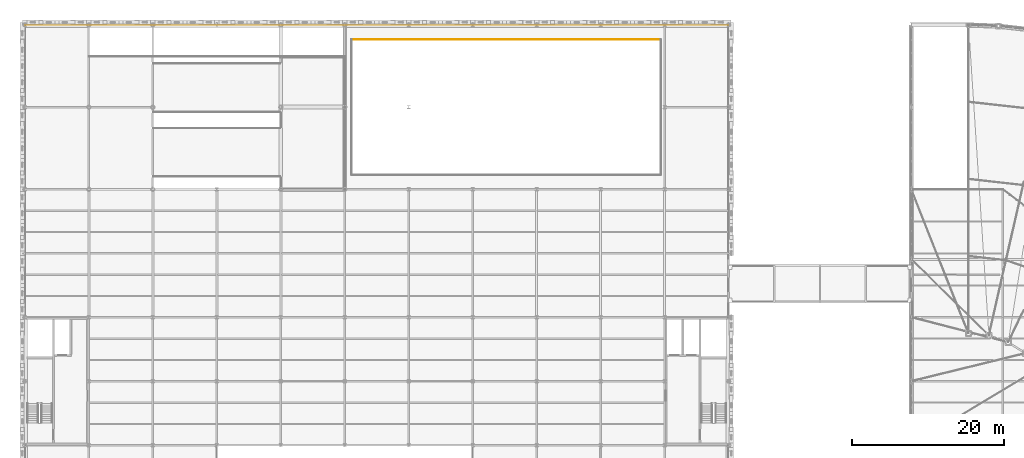
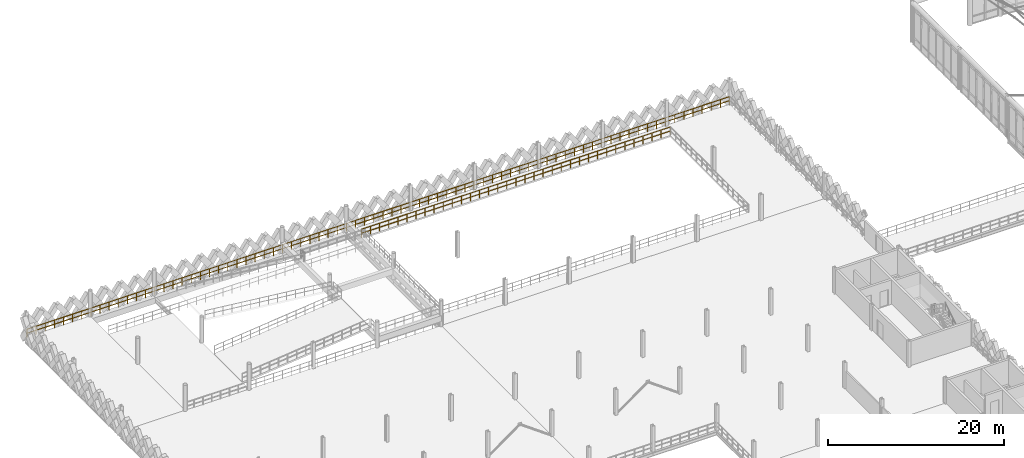
# One storey, part 98 of 101: 2 railings.
"""IFC4 building model written with IfcOpenShell, lengths in metres."""

from ifc_helpers import new_model, si_unit, direction, frame, origin, origin_2d, place, context, subcontext, project, spatial, circle, extrude, material, type_object, element, save


model = new_model("IFC4")

# Units and contexts
model_context = context("Model", 3, precision=1e-05, world=origin(), true_north=direction((0.0, 1.0)))
body_context = subcontext(model_context, "Body", "Model", "MODEL_VIEW")
ifc_project = project(units=[si_unit("LENGTHUNIT", "METRE"), si_unit("AREAUNIT", "SQUARE_METRE"), si_unit("VOLUMEUNIT", "CUBIC_METRE"), si_unit("PLANEANGLEUNIT", "RADIAN"), si_unit("MASSUNIT", "GRAM", prefix="KILO"), si_unit("THERMODYNAMICTEMPERATUREUNIT", "KELVIN"), si_unit("POWERUNIT", "WATT")], contexts=[model_context])

# Site, building, storey
site_placement = place(None, origin())
site = spatial("IfcSite", under=ifc_project, at=site_placement, CompositionType="ELEMENT")
building_placement = place(site_placement, origin())
building = spatial("IfcBuilding", under=site, at=building_placement, Name="Tembeka Court Mobility Hub", CompositionType="ELEMENT")
storey_placement = place(building_placement, frame((0.0, 0.0, 5.39990234375)))
storey = spatial("IfcBuildingStorey", under=building, at=storey_placement, Name="L01", CompositionType="ELEMENT", Elevation=5.39990234375)

# Railings
ifc_material = material(Name="Painted galvanised steel balustrade", Category="steel")
railing_type_1 = type_object("IfcRailingType", Name="RL-GR01", PredefinedType="GUARDRAIL", material=ifc_material)
railing_1_placement = place(storey_placement, frame((83.469970703125, 116.89990234375, 0.0)))
element("IfcRailing", 1, at=railing_1_placement, inside=storey, type_object=railing_type_1, Name="Perimeter guard GR01-0059", PredefinedType="GUARDRAIL", context=body_context, shape_type="SweptSolid", body=[
    extrude(circle(Radius=0.02392578125, at=origin_2d()), frame((0.0, 0.0, 1.09619140625), z_axis=(-1.0, 0.0, 0.0), x_axis=(0.0, -1.0, 0.0)), (0.0, 0.0, 1.0), 40.5400390625),
    extrude(circle(Radius=0.02392578125, at=origin_2d()), frame((0.0, 0.0, 0.5361328125), z_axis=(-1.0, 0.0, 0.0), x_axis=(0.0, -1.0, 0.0)), (0.0, 0.0, 1.0), 40.5400390625),
    extrude(circle(Radius=0.02099609375, at=origin_2d()), origin(), (0.0, 0.0, 1.0), 1.072021484375),
    extrude(circle(Radius=0.02099609375, at=origin_2d()), frame((-1.1923828125, 0.0, 0.0)), (0.0, 0.0, 1.0), 1.072021484375),
    extrude(circle(Radius=0.02099609375, at=origin_2d()), frame((-2.384765625, 0.0, 0.0)), (0.0, 0.0, 1.0), 1.072021484375),
    extrude(circle(Radius=0.02099609375, at=origin_2d()), frame((-3.5771484375, 0.0, 0.0)), (0.0, 0.0, 1.0), 1.072021484375),
    extrude(circle(Radius=0.02099609375, at=origin_2d()), frame((-4.76953125, 0.0, 0.0)), (0.0, 0.0, 1.0), 1.072021484375),
    extrude(circle(Radius=0.02099609375, at=origin_2d()), frame((-5.961669921875, 0.0, 0.0)), (0.0, 0.0, 1.0), 1.072021484375),
    extrude(circle(Radius=0.02099609375, at=origin_2d()), frame((-7.154052734375, 0.0, 0.0)), (0.0, 0.0, 1.0), 1.072021484375),
    extrude(circle(Radius=0.02099609375, at=origin_2d()), frame((-8.346435546875, 0.0, 0.0)), (0.0, 0.0, 1.0), 1.072021484375),
    extrude(circle(Radius=0.02099609375, at=origin_2d()), frame((-9.538818359375, 0.0, 0.0)), (0.0, 0.0, 1.0), 1.072021484375),
    extrude(circle(Radius=0.02099609375, at=origin_2d()), frame((-10.731201171875, 0.0, 0.0)), (0.0, 0.0, 1.0), 1.072021484375),
    extrude(circle(Radius=0.02099609375, at=origin_2d()), frame((-11.923583984375, 0.0, 0.0)), (0.0, 0.0, 1.0), 1.072021484375),
    extrude(circle(Radius=0.02099609375, at=origin_2d()), frame((-13.115966796875, 0.0, 0.0)), (0.0, 0.0, 1.0), 1.072021484375),
    extrude(circle(Radius=0.02099609375, at=origin_2d()), frame((-14.308349609375, 0.0, 0.0)), (0.0, 0.0, 1.0), 1.072021484375),
    extrude(circle(Radius=0.02099609375, at=origin_2d()), frame((-15.50048828125, 0.0, 0.0)), (0.0, 0.0, 1.0), 1.072021484375),
    extrude(circle(Radius=0.02099609375, at=origin_2d()), frame((-16.69287109375, 0.0, 0.0)), (0.0, 0.0, 1.0), 1.072021484375),
    extrude(circle(Radius=0.02099609375, at=origin_2d()), frame((-17.88525390625, 0.0, 0.0)), (0.0, 0.0, 1.0), 1.072021484375),
    extrude(circle(Radius=0.02099609375, at=origin_2d()), frame((-19.07763671875, 0.0, 0.0)), (0.0, 0.0, 1.0), 1.072021484375),
    extrude(circle(Radius=0.02099609375, at=origin_2d()), frame((-20.27001953125, 0.0, 0.0)), (0.0, 0.0, 1.0), 1.072021484375),
    extrude(circle(Radius=0.02099609375, at=origin_2d()), frame((-21.46240234375, 0.0, 0.0)), (0.0, 0.0, 1.0), 1.072021484375),
    extrude(circle(Radius=0.02099609375, at=origin_2d()), frame((-22.65478515625, 0.0, 0.0)), (0.0, 0.0, 1.0), 1.072021484375),
    extrude(circle(Radius=0.02099609375, at=origin_2d()), frame((-23.84716796875, 0.0, 0.0)), (0.0, 0.0, 1.0), 1.072021484375),
    extrude(circle(Radius=0.02099609375, at=origin_2d()), frame((-25.03955078125, 0.0, 0.0)), (0.0, 0.0, 1.0), 1.072021484375),
    extrude(circle(Radius=0.02099609375, at=origin_2d()), frame((-26.231689453125, 0.0, 0.0)), (0.0, 0.0, 1.0), 1.072021484375),
    extrude(circle(Radius=0.02099609375, at=origin_2d()), frame((-27.424072265625, 0.0, 0.0)), (0.0, 0.0, 1.0), 1.072021484375),
    extrude(circle(Radius=0.02099609375, at=origin_2d()), frame((-28.616455078125, 0.0, 0.0)), (0.0, 0.0, 1.0), 1.072021484375),
    extrude(circle(Radius=0.02099609375, at=origin_2d()), frame((-29.808837890625, 0.0, 0.0)), (0.0, 0.0, 1.0), 1.072021484375),
    extrude(circle(Radius=0.02099609375, at=origin_2d()), frame((-31.001220703125, 0.0, 0.0)), (0.0, 0.0, 1.0), 1.072021484375),
    extrude(circle(Radius=0.02099609375, at=origin_2d()), frame((-32.193603515625, 0.0, 0.0)), (0.0, 0.0, 1.0), 1.072021484375),
    extrude(circle(Radius=0.02099609375, at=origin_2d()), frame((-33.385986328125, 0.0, 0.0)), (0.0, 0.0, 1.0), 1.072021484375),
    extrude(circle(Radius=0.02099609375, at=origin_2d()), frame((-34.578369140625, 0.0, 0.0)), (0.0, 0.0, 1.0), 1.072021484375),
    extrude(circle(Radius=0.02099609375, at=origin_2d()), frame((-35.7705078125, 0.0, 0.0)), (0.0, 0.0, 1.0), 1.072021484375),
    extrude(circle(Radius=0.02099609375, at=origin_2d()), frame((-36.962890625, 0.0, 0.0)), (0.0, 0.0, 1.0), 1.072021484375),
    extrude(circle(Radius=0.02099609375, at=origin_2d()), frame((-38.1552734375, 0.0, 0.0)), (0.0, 0.0, 1.0), 1.072021484375),
    extrude(circle(Radius=0.02099609375, at=origin_2d()), frame((-39.34765625, 0.0, 0.0)), (0.0, 0.0, 1.0), 1.072021484375),
    extrude(circle(Radius=0.02099609375, at=origin_2d()), frame((-40.5400390625, 0.0, 0.0)), (0.0, 0.0, 1.0), 1.072021484375),
])
railing_type_2 = type_object("IfcRailingType", Name="RL-GR02", PredefinedType="GUARDRAIL", material=ifc_material)
railing_2_placement = place(storey_placement, frame((0.080078125, 118.75, 0.0)))
element("IfcRailing", 2, at=railing_2_placement, inside=storey, type_object=railing_type_2, Name="Perimeter guard GR02-0062", PredefinedType="GUARDRAIL", context=body_context, shape_type="SweptSolid", body=[
    extrude(circle(Radius=0.02392578125, at=origin_2d()), frame((0.0, 0.0, 1.09619140625), z_axis=(1.0, 0.0, 0.0), x_axis=(0.0, 1.0, 0.0)), (0.0, 0.0, 1.0), 92.239990234375),
    extrude(circle(Radius=0.02392578125, at=origin_2d()), frame((0.0, 0.0, 0.5361328125), z_axis=(1.0, 0.0, 0.0), x_axis=(0.0, 1.0, 0.0)), (0.0, 0.0, 1.0), 92.239990234375),
    extrude(circle(Radius=0.02099609375, at=origin_2d()), origin(), (0.0, 0.0, 1.0), 1.072021484375),
    extrude(circle(Radius=0.02099609375, at=origin_2d()), frame((1.197998046875, 0.0, 0.0)), (0.0, 0.0, 1.0), 1.072021484375),
    extrude(circle(Radius=0.02099609375, at=origin_2d()), frame((2.395751953125, 0.0, 0.0)), (0.0, 0.0, 1.0), 1.072021484375),
    extrude(circle(Radius=0.02099609375, at=origin_2d()), frame((3.59375, 0.0, 0.0)), (0.0, 0.0, 1.0), 1.072021484375),
    extrude(circle(Radius=0.02099609375, at=origin_2d()), frame((4.791748046875, 0.0, 0.0)), (0.0, 0.0, 1.0), 1.072021484375),
    extrude(circle(Radius=0.02099609375, at=origin_2d()), frame((5.989501953125, 0.0, 0.0)), (0.0, 0.0, 1.0), 1.072021484375),
    extrude(circle(Radius=0.02099609375, at=origin_2d()), frame((7.1875, 0.0, 0.0)), (0.0, 0.0, 1.0), 1.072021484375),
    extrude(circle(Radius=0.02099609375, at=origin_2d()), frame((8.385498046875, 0.0, 0.0)), (0.0, 0.0, 1.0), 1.072021484375),
    extrude(circle(Radius=0.02099609375, at=origin_2d()), frame((9.58349609375, 0.0, 0.0)), (0.0, 0.0, 1.0), 1.072021484375),
    extrude(circle(Radius=0.02099609375, at=origin_2d()), frame((10.78125, 0.0, 0.0)), (0.0, 0.0, 1.0), 1.072021484375),
    extrude(circle(Radius=0.02099609375, at=origin_2d()), frame((11.979248046875, 0.0, 0.0)), (0.0, 0.0, 1.0), 1.072021484375),
    extrude(circle(Radius=0.02099609375, at=origin_2d()), frame((13.17724609375, 0.0, 0.0)), (0.0, 0.0, 1.0), 1.072021484375),
    extrude(circle(Radius=0.02099609375, at=origin_2d()), frame((14.375, 0.0, 0.0)), (0.0, 0.0, 1.0), 1.072021484375),
    extrude(circle(Radius=0.02099609375, at=origin_2d()), frame((15.572998046875, 0.0, 0.0)), (0.0, 0.0, 1.0), 1.072021484375),
    extrude(circle(Radius=0.02099609375, at=origin_2d()), frame((16.77099609375, 0.0, 0.0)), (0.0, 0.0, 1.0), 1.072021484375),
    extrude(circle(Radius=0.02099609375, at=origin_2d()), frame((17.96875, 0.0, 0.0)), (0.0, 0.0, 1.0), 1.072021484375),
    extrude(circle(Radius=0.02099609375, at=origin_2d()), frame((19.166748046875, 0.0, 0.0)), (0.0, 0.0, 1.0), 1.072021484375),
    extrude(circle(Radius=0.02099609375, at=origin_2d()), frame((20.36474609375, 0.0, 0.0)), (0.0, 0.0, 1.0), 1.072021484375),
    extrude(circle(Radius=0.02099609375, at=origin_2d()), frame((21.5625, 0.0, 0.0)), (0.0, 0.0, 1.0), 1.072021484375),
    extrude(circle(Radius=0.02099609375, at=origin_2d()), frame((22.760498046875, 0.0, 0.0)), (0.0, 0.0, 1.0), 1.072021484375),
    extrude(circle(Radius=0.02099609375, at=origin_2d()), frame((23.95849609375, 0.0, 0.0)), (0.0, 0.0, 1.0), 1.072021484375),
    extrude(circle(Radius=0.02099609375, at=origin_2d()), frame((25.15625, 0.0, 0.0)), (0.0, 0.0, 1.0), 1.072021484375),
    extrude(circle(Radius=0.02099609375, at=origin_2d()), frame((26.354248046875, 0.0, 0.0)), (0.0, 0.0, 1.0), 1.072021484375),
    extrude(circle(Radius=0.02099609375, at=origin_2d()), frame((27.55224609375, 0.0, 0.0)), (0.0, 0.0, 1.0), 1.072021484375),
    extrude(circle(Radius=0.02099609375, at=origin_2d()), frame((28.750244140625, 0.0, 0.0)), (0.0, 0.0, 1.0), 1.072021484375),
    extrude(circle(Radius=0.02099609375, at=origin_2d()), frame((29.947998046875, 0.0, 0.0)), (0.0, 0.0, 1.0), 1.072021484375),
    extrude(circle(Radius=0.02099609375, at=origin_2d()), frame((31.14599609375, 0.0, 0.0)), (0.0, 0.0, 1.0), 1.072021484375),
    extrude(circle(Radius=0.02099609375, at=origin_2d()), frame((32.343994140625, 0.0, 0.0)), (0.0, 0.0, 1.0), 1.072021484375),
    extrude(circle(Radius=0.02099609375, at=origin_2d()), frame((33.541748046875, 0.0, 0.0)), (0.0, 0.0, 1.0), 1.072021484375),
    extrude(circle(Radius=0.02099609375, at=origin_2d()), frame((34.73974609375, 0.0, 0.0)), (0.0, 0.0, 1.0), 1.072021484375),
    extrude(circle(Radius=0.02099609375, at=origin_2d()), frame((35.937744140625, 0.0, 0.0)), (0.0, 0.0, 1.0), 1.072021484375),
    extrude(circle(Radius=0.02099609375, at=origin_2d()), frame((37.135498046875, 0.0, 0.0)), (0.0, 0.0, 1.0), 1.072021484375),
    extrude(circle(Radius=0.02099609375, at=origin_2d()), frame((38.33349609375, 0.0, 0.0)), (0.0, 0.0, 1.0), 1.072021484375),
    extrude(circle(Radius=0.02099609375, at=origin_2d()), frame((39.531494140625, 0.0, 0.0)), (0.0, 0.0, 1.0), 1.072021484375),
    extrude(circle(Radius=0.02099609375, at=origin_2d()), frame((40.729248046875, 0.0, 0.0)), (0.0, 0.0, 1.0), 1.072021484375),
    extrude(circle(Radius=0.02099609375, at=origin_2d()), frame((41.92724609375, 0.0, 0.0)), (0.0, 0.0, 1.0), 1.072021484375),
    extrude(circle(Radius=0.02099609375, at=origin_2d()), frame((43.125244140625, 0.0, 0.0)), (0.0, 0.0, 1.0), 1.072021484375),
    extrude(circle(Radius=0.02099609375, at=origin_2d()), frame((44.322998046875, 0.0, 0.0)), (0.0, 0.0, 1.0), 1.072021484375),
    extrude(circle(Radius=0.02099609375, at=origin_2d()), frame((45.52099609375, 0.0, 0.0)), (0.0, 0.0, 1.0), 1.072021484375),
    extrude(circle(Radius=0.02099609375, at=origin_2d()), frame((46.718994140625, 0.0, 0.0)), (0.0, 0.0, 1.0), 1.072021484375),
    extrude(circle(Radius=0.02099609375, at=origin_2d()), frame((47.9169921875, 0.0, 0.0)), (0.0, 0.0, 1.0), 1.072021484375),
    extrude(circle(Radius=0.02099609375, at=origin_2d()), frame((49.11474609375, 0.0, 0.0)), (0.0, 0.0, 1.0), 1.072021484375),
    extrude(circle(Radius=0.02099609375, at=origin_2d()), frame((50.312744140625, 0.0, 0.0)), (0.0, 0.0, 1.0), 1.072021484375),
    extrude(circle(Radius=0.02099609375, at=origin_2d()), frame((51.5107421875, 0.0, 0.0)), (0.0, 0.0, 1.0), 1.072021484375),
    extrude(circle(Radius=0.02099609375, at=origin_2d()), frame((52.70849609375, 0.0, 0.0)), (0.0, 0.0, 1.0), 1.072021484375),
    extrude(circle(Radius=0.02099609375, at=origin_2d()), frame((53.906494140625, 0.0, 0.0)), (0.0, 0.0, 1.0), 1.072021484375),
    extrude(circle(Radius=0.02099609375, at=origin_2d()), frame((55.1044921875, 0.0, 0.0)), (0.0, 0.0, 1.0), 1.072021484375),
    extrude(circle(Radius=0.02099609375, at=origin_2d()), frame((56.30224609375, 0.0, 0.0)), (0.0, 0.0, 1.0), 1.072021484375),
    extrude(circle(Radius=0.02099609375, at=origin_2d()), frame((57.500244140625, 0.0, 0.0)), (0.0, 0.0, 1.0), 1.072021484375),
    extrude(circle(Radius=0.02099609375, at=origin_2d()), frame((58.6982421875, 0.0, 0.0)), (0.0, 0.0, 1.0), 1.072021484375),
    extrude(circle(Radius=0.02099609375, at=origin_2d()), frame((59.89599609375, 0.0, 0.0)), (0.0, 0.0, 1.0), 1.072021484375),
    extrude(circle(Radius=0.02099609375, at=origin_2d()), frame((61.093994140625, 0.0, 0.0)), (0.0, 0.0, 1.0), 1.072021484375),
    extrude(circle(Radius=0.02099609375, at=origin_2d()), frame((62.2919921875, 0.0, 0.0)), (0.0, 0.0, 1.0), 1.072021484375),
    extrude(circle(Radius=0.02099609375, at=origin_2d()), frame((63.48974609375, 0.0, 0.0)), (0.0, 0.0, 1.0), 1.072021484375),
    extrude(circle(Radius=0.02099609375, at=origin_2d()), frame((64.687744140625, 0.0, 0.0)), (0.0, 0.0, 1.0), 1.072021484375),
    extrude(circle(Radius=0.02099609375, at=origin_2d()), frame((65.8857421875, 0.0, 0.0)), (0.0, 0.0, 1.0), 1.072021484375),
    extrude(circle(Radius=0.02099609375, at=origin_2d()), frame((67.083740234375, 0.0, 0.0)), (0.0, 0.0, 1.0), 1.072021484375),
    extrude(circle(Radius=0.02099609375, at=origin_2d()), frame((68.281494140625, 0.0, 0.0)), (0.0, 0.0, 1.0), 1.072021484375),
    extrude(circle(Radius=0.02099609375, at=origin_2d()), frame((69.4794921875, 0.0, 0.0)), (0.0, 0.0, 1.0), 1.072021484375),
    extrude(circle(Radius=0.02099609375, at=origin_2d()), frame((70.677490234375, 0.0, 0.0)), (0.0, 0.0, 1.0), 1.072021484375),
    extrude(circle(Radius=0.02099609375, at=origin_2d()), frame((71.875244140625, 0.0, 0.0)), (0.0, 0.0, 1.0), 1.072021484375),
    extrude(circle(Radius=0.02099609375, at=origin_2d()), frame((73.0732421875, 0.0, 0.0)), (0.0, 0.0, 1.0), 1.072021484375),
    extrude(circle(Radius=0.02099609375, at=origin_2d()), frame((74.271240234375, 0.0, 0.0)), (0.0, 0.0, 1.0), 1.072021484375),
    extrude(circle(Radius=0.02099609375, at=origin_2d()), frame((75.468994140625, 0.0, 0.0)), (0.0, 0.0, 1.0), 1.072021484375),
    extrude(circle(Radius=0.02099609375, at=origin_2d()), frame((76.6669921875, 0.0, 0.0)), (0.0, 0.0, 1.0), 1.072021484375),
    extrude(circle(Radius=0.02099609375, at=origin_2d()), frame((77.864990234375, 0.0, 0.0)), (0.0, 0.0, 1.0), 1.072021484375),
    extrude(circle(Radius=0.02099609375, at=origin_2d()), frame((79.062744140625, 0.0, 0.0)), (0.0, 0.0, 1.0), 1.072021484375),
    extrude(circle(Radius=0.02099609375, at=origin_2d()), frame((80.2607421875, 0.0, 0.0)), (0.0, 0.0, 1.0), 1.072021484375),
    extrude(circle(Radius=0.02099609375, at=origin_2d()), frame((81.458740234375, 0.0, 0.0)), (0.0, 0.0, 1.0), 1.072021484375),
    extrude(circle(Radius=0.02099609375, at=origin_2d()), frame((82.656494140625, 0.0, 0.0)), (0.0, 0.0, 1.0), 1.072021484375),
    extrude(circle(Radius=0.02099609375, at=origin_2d()), frame((83.8544921875, 0.0, 0.0)), (0.0, 0.0, 1.0), 1.072021484375),
    extrude(circle(Radius=0.02099609375, at=origin_2d()), frame((85.052490234375, 0.0, 0.0)), (0.0, 0.0, 1.0), 1.072021484375),
    extrude(circle(Radius=0.02099609375, at=origin_2d()), frame((86.25048828125, 0.0, 0.0)), (0.0, 0.0, 1.0), 1.072021484375),
    extrude(circle(Radius=0.02099609375, at=origin_2d()), frame((87.4482421875, 0.0, 0.0)), (0.0, 0.0, 1.0), 1.072021484375),
    extrude(circle(Radius=0.02099609375, at=origin_2d()), frame((88.646240234375, 0.0, 0.0)), (0.0, 0.0, 1.0), 1.072021484375),
    extrude(circle(Radius=0.02099609375, at=origin_2d()), frame((89.84423828125, 0.0, 0.0)), (0.0, 0.0, 1.0), 1.072021484375),
    extrude(circle(Radius=0.02099609375, at=origin_2d()), frame((91.0419921875, 0.0, 0.0)), (0.0, 0.0, 1.0), 1.072021484375),
    extrude(circle(Radius=0.02099609375, at=origin_2d()), frame((92.239990234375, 0.0, 0.0)), (0.0, 0.0, 1.0), 1.072021484375),
])

save(model, "model.ifc")
